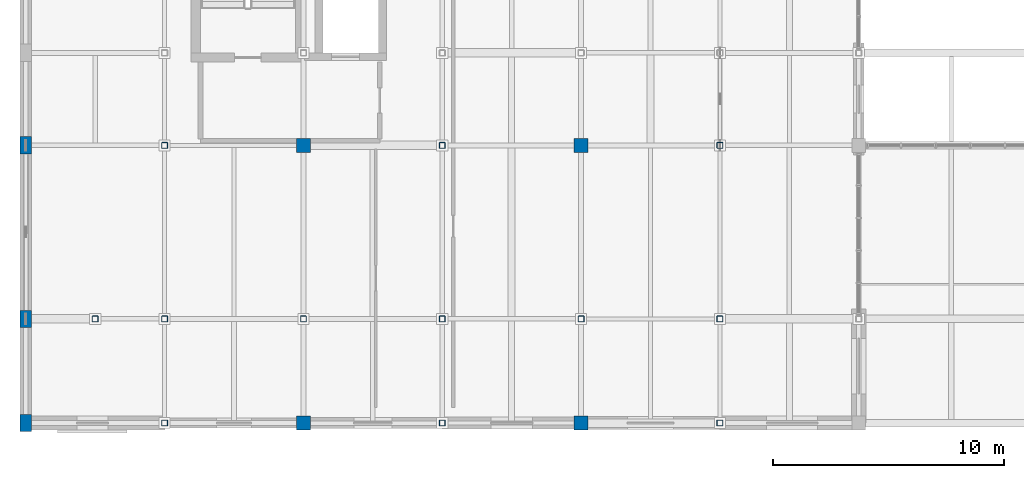
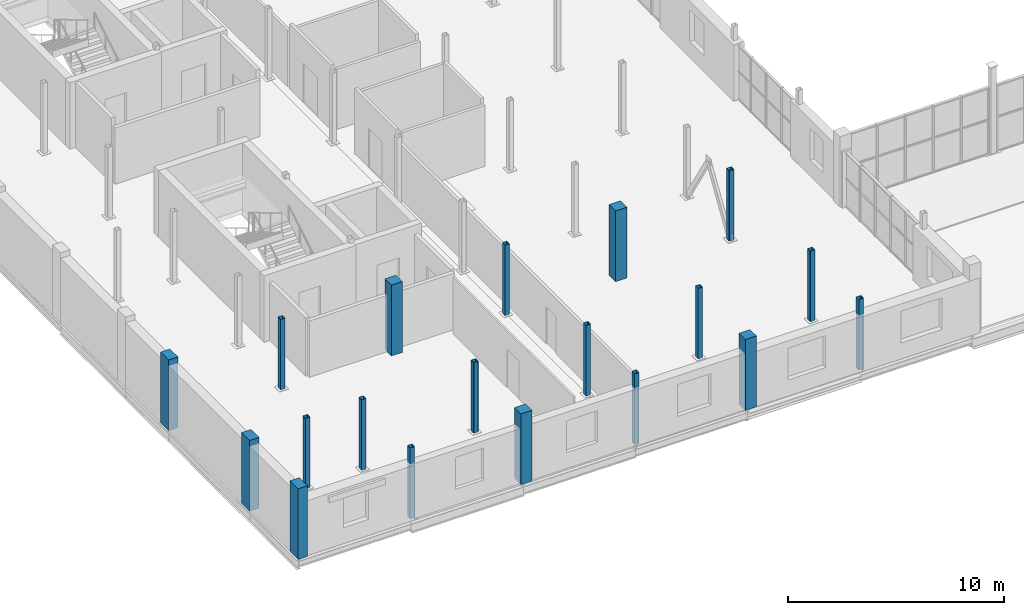
# One storey, part 1 of 96: 19 columns.
"""IFC4 building model written with IfcOpenShell, lengths in metres."""

import ifcopenshell
import ifcopenshell.guid

model = None  # the IFC model being written
_history = None  # IfcOwnerHistory: only IFC2X3 demands one
_inside = {}  # id of a spatial element -> (the spatial element, [elements in it])
_under = {}  # id of a project, library or spatial element -> (it, [spatial elements below it])
_declared = {}  # id of a project -> (the project, [libraries it declares])
_typed = {}  # id of a type object -> (the type object, [elements of that type])
_made_of = {}  # id of a material, layer set ... -> (it, [elements and type objects made of it])


def new_model(schema):
    """Start an empty IFC model of exactly this schema.

    Asked for "IFC4X3", IfcOpenShell would pick the latest addendum, in which some entities
    have other attributes; the version numbers below select the first issue.
    IFC2X3 requires an IfcOwnerHistory on every rooted entity: one is made here for all.
    """
    global model, _history
    if schema == "IFC4X3":
        model = ifcopenshell.file(schema_version=(4, 3, 0, 0))
    else:
        model = ifcopenshell.file(schema=schema)
    _inside.clear()
    _under.clear()
    _declared.clear()
    _typed.clear()
    _made_of.clear()
    _history = None
    if model.schema == "IFC2X3":
        org = make("IfcOrganization", Name="unknown")
        user = make(
            "IfcPersonAndOrganization",
            ThePerson=make("IfcPerson", FamilyName="unknown"),
            TheOrganization=org,
        )
        app = make(
            "IfcApplication",
            ApplicationDeveloper=org,
            Version="unknown",
            ApplicationFullName="unknown",
            ApplicationIdentifier="unknown",
        )
        _history = make(
            "IfcOwnerHistory",
            OwningUser=user,
            OwningApplication=app,
            ChangeAction="ADDED",
            CreationDate=0,
        )
    return model


def make(cls, **values):
    """One entity of the class cls with the attributes given. An attribute that is None is left unset."""
    return model.create_entity(
        cls, **{name: value for name, value in values.items() if value is not None}
    )


def rooted(cls, **values):
    """An entity with a GlobalId (a new one), such as an element, a storey or a relation."""
    return make(cls, GlobalId=ifcopenshell.guid.new(), OwnerHistory=_history, **values)


def si_unit(unit_type, name, prefix=None):
    """IfcSIUnit, for example si_unit("LENGTHUNIT", "METRE", prefix="MILLI")."""
    return make("IfcSIUnit", UnitType=unit_type, Prefix=prefix, Name=name)


def assignment(units):
    """IfcUnitAssignment: the units of a project."""
    return None if units is None else make("IfcUnitAssignment", Units=units)


def point(xyz):
    """IfcCartesianPoint."""
    return None if xyz is None else make("IfcCartesianPoint", Coordinates=xyz)


def direction(xyz):
    """IfcDirection."""
    return None if xyz is None else make("IfcDirection", DirectionRatios=xyz)


def frame(location, z_axis=None, x_axis=None):
    """IfcAxis2Placement3D, a coordinate frame: its origin and axes. An axis left out is left unset."""
    return make(
        "IfcAxis2Placement3D",
        Location=point(location),
        Axis=direction(z_axis),
        RefDirection=direction(x_axis),
    )


def frame_2d(location, x_axis=None):
    """IfcAxis2Placement2D, a coordinate frame in the plane: its origin and x axis."""
    return make(
        "IfcAxis2Placement2D", Location=point(location), RefDirection=direction(x_axis)
    )


def origin():
    """The frame at (0, 0, 0) with its axes left unset."""
    return frame((0.0, 0.0, 0.0))


def origin_2d():
    """The frame at (0, 0) in the plane with its x axis left unset."""
    return frame_2d((0.0, 0.0))


def place(relative_to, where):
    """IfcLocalPlacement: puts the frame where relative to a parent placement (None: the world)."""
    return make(
        "IfcLocalPlacement", PlacementRelTo=relative_to, RelativePlacement=where
    )


def context(
    kind, dimensions, precision=None, world=None, true_north=None, identifier=None
):
    """IfcGeometricRepresentationContext, for example the 3D "Model" context."""
    return make(
        "IfcGeometricRepresentationContext",
        ContextIdentifier=identifier,
        ContextType=kind,
        CoordinateSpaceDimension=dimensions,
        Precision=precision,
        WorldCoordinateSystem=world,
        TrueNorth=true_north,
    )


def subcontext(parent, identifier, kind, view, scale=None):
    """IfcGeometricRepresentationSubContext, for example "Body" below "Model"."""
    return make(
        "IfcGeometricRepresentationSubContext",
        ContextIdentifier=identifier,
        ContextType=kind,
        ParentContext=parent,
        TargetScale=scale,
        TargetView=view,
    )


def project(units=None, contexts=None):
    """IfcProject with its units and contexts."""
    return rooted(
        "IfcProject",
        Name="project",
        RepresentationContexts=contexts,
        UnitsInContext=assignment(units),
    )


def spatial(cls, under=None, at=None, **own):
    """A site, building, storey or space (cls), placed at a placement, below another one or the project."""
    s = rooted(cls, ObjectPlacement=at, **own)
    if under is not None:
        _under.setdefault(under.id(), (under, []))[1].append(s)
    return s


def profile(cls, at=None, kind="AREA", **sizes):
    """A parametric profile (cls). Its sizes go by their IFC names, for example OverallWidth=200.0."""
    return make(cls, ProfileType=kind, Position=at, **sizes)


def rectangle(**sizes):
    """IfcRectangleProfileDef."""
    return profile("IfcRectangleProfileDef", **sizes)


def hollow_rectangle(**sizes):
    """IfcRectangleHollowProfileDef."""
    return profile("IfcRectangleHollowProfileDef", **sizes)


def extrude(swept, where, along, depth):
    """IfcExtrudedAreaSolid: the profile swept, set in the frame where, extruded along a direction by depth."""
    return make(
        "IfcExtrudedAreaSolid",
        SweptArea=swept,
        Position=where,
        ExtrudedDirection=direction(along),
        Depth=depth,
    )


def shape(context_of_items, identifier, shape_type, items):
    """IfcShapeRepresentation: the items that make up one representation, for example the "Body"."""
    return make(
        "IfcShapeRepresentation",
        ContextOfItems=context_of_items,
        RepresentationIdentifier=identifier,
        RepresentationType=shape_type,
        Items=items,
    )


def material(Name=None, Category=None):
    """IfcMaterial."""
    return make("IfcMaterial", Name=Name, Category=Category)


def material_profile(
    of_material, cross_section, Name=None, Category=None, Priority=None
):
    """IfcMaterialProfile: a cross section and its material."""
    return make(
        "IfcMaterialProfile",
        Name=Name,
        Material=of_material,
        Profile=cross_section,
        Priority=Priority,
        Category=Category,
    )


def profile_set(profiles, Name=None, composite=None):
    """IfcMaterialProfileSet."""
    return make(
        "IfcMaterialProfileSet",
        Name=Name,
        MaterialProfiles=profiles,
        CompositeProfile=composite,
    )


def made_of(thing, what):
    """Note that an element or type object is made of a material, layer set ...; save() writes the relation."""
    if what is not None:
        _made_of.setdefault(what.id(), (what, []))[1].append(thing)
    return thing


def type_object(cls, material=None, **own):
    """A type object (cls), such as IfcWallType, which elements share."""
    return made_of(rooted(cls, **own), material)


def element(
    cls,
    number,
    at=None,
    inside=None,
    cuts=None,
    type_object=None,
    material=None,
    context=None,
    identifier="Body",
    shape_type=None,
    held_by="IfcProductDefinitionShape",
    body=None,
    shapes=None,
    **own,
):
    """One element of the class cls, such as IfcWall. Its Tag is "e" and its number.

    at: its placement. inside: the storey or other place that contains it. cuts: it is an
    opening in that element (IfcRelVoidsElement). A single representation is given by context,
    identifier, shape_type and body (its items); several are given by shapes. held_by: the class
    of the entity that holds the representations. save() writes the other relations.
    """
    e = rooted(cls, Tag="e%d" % number, ObjectPlacement=at, **own)
    if body is not None:
        shapes = [shape(context, identifier, shape_type, body)]
    if shapes is not None:
        e.Representation = make(held_by, Representations=shapes)
    if inside is not None:
        _inside.setdefault(inside.id(), (inside, []))[1].append(e)
    if cuts is not None:
        rooted(
            "IfcRelVoidsElement", RelatingBuildingElement=cuts, RelatedOpeningElement=e
        )
    if type_object is not None:
        _typed.setdefault(type_object.id(), (type_object, []))[1].append(e)
    return made_of(e, material)


def aggregate(whole, parts):
    """IfcRelAggregates: a whole, such as a stair, and the parts it consists of."""
    return rooted("IfcRelAggregates", RelatingObject=whole, RelatedObjects=parts)


def save(model, path):
    """Write the relations noted so far, then the file.

    IfcRelAggregates (storeys below a building ...), IfcRelContainedInSpatialStructure (elements
    in a storey), IfcRelDefinesByType, IfcRelAssociatesMaterial and IfcRelDeclares: one each for
    every whole, place, type object, material and project.
    """
    for whole, parts in _under.values():
        aggregate(whole, parts)
    for where, things in _inside.values():
        rooted(
            "IfcRelContainedInSpatialStructure",
            RelatedElements=things,
            RelatingStructure=where,
        )
    for kind, things in _typed.values():
        rooted("IfcRelDefinesByType", RelatedObjects=things, RelatingType=kind)
    for what, things in _made_of.values():
        rooted("IfcRelAssociatesMaterial", RelatedObjects=things, RelatingMaterial=what)
    for by, libraries in _declared.values():
        rooted("IfcRelDeclares", RelatingContext=by, RelatedDefinitions=libraries)
    model.write(path)


model = new_model("IFC4")

# Units and contexts
model_context = context("Model", 3, precision=1e-05, world=origin(), true_north=direction((0.0, 1.0)))
body_context = subcontext(model_context, "Body", "Model", "MODEL_VIEW")
ifc_project = project(units=[si_unit("LENGTHUNIT", "METRE"), si_unit("AREAUNIT", "SQUARE_METRE"), si_unit("VOLUMEUNIT", "CUBIC_METRE"), si_unit("PLANEANGLEUNIT", "RADIAN"), si_unit("MASSUNIT", "GRAM", prefix="KILO")], contexts=[model_context])

# Site, building, storey
site_placement = place(None, origin())
site = spatial("IfcSite", under=ifc_project, at=site_placement, CompositionType="ELEMENT")
building_placement = place(site_placement, origin())
building = spatial("IfcBuilding", under=site, at=building_placement, Name="Verrall Gate Interchange", CompositionType="ELEMENT")
storey_placement = place(building_placement, frame((0.0, 0.0, 11.39990234375)))
storey = spatial("IfcBuildingStorey", under=building, at=storey_placement, Name="L03", CompositionType="ELEMENT", Elevation=11.39990234375)

# Columns
ifc_material_1 = material(Name="Concrete CSA A23.1 40 MPa (Class N)", Category="concrete")
ifc_material_profile_1 = material_profile(ifc_material_1, rectangle(XDim=0.60009765625, YDim=0.60009765625, at=origin_2d()), Name="RC600x600")
ifc_profile_set_1 = profile_set([ifc_material_profile_1], Name="Concrete CSA A23.1 40 MPa (Class N)")
column_type_1 = type_object("IfcColumnType", Name="C-04 Column RC600x600", PredefinedType="COLUMN", material=ifc_profile_set_1)
for number, where, z_axis, x_axis, name in (
    (1, (12.0, 0.0, 0.0), (0.0, 0.0, 1.0), (1.0, 0.0, 0.0), "L03 Column COL-L03-0252 (C-04)"),
    (2, (12.0, 12.0, 0.0), (0.0, 0.0, 1.0), (1.0, 0.0, 0.0), "L03 Column COL-L03-0266 (C-04)"),
    (3, (24.0, 0.0, 0.0), (0.0, 0.0, 1.0), (1.0, 0.0, 0.0), "L03 Column COL-L03-0486 (C-04)"),
    (4, (24.0, 12.0, 0.0), (0.0, 0.0, 1.0), (1.0, 0.0, 0.0), "L03 Column COL-L03-0500 (C-04)"),
):
    element("IfcColumn", number, at=place(storey_placement, frame(where, z_axis=z_axis, x_axis=x_axis)), inside=storey, type_object=column_type_1, Name=name, PredefinedType="COLUMN", context=body_context, shape_type="SweptSolid", body=[
        extrude(rectangle(XDim=0.60009765625, YDim=0.60009765625, at=origin_2d()), origin(), (0.0, 0.0, 1.0), 4.0),
    ])
ifc_material_2 = material(Name="Concrete CSA A23.1 40 MPa (Class C-1)", Category="concrete")
ifc_material_profile_2 = material_profile(ifc_material_2, rectangle(XDim=0.5, YDim=0.75, at=origin_2d()), Name="RC500x750")
ifc_profile_set_2 = profile_set([ifc_material_profile_2], Name="Concrete CSA A23.1 40 MPa (Class C-1)")
column_type_2 = type_object("IfcColumnType", Name="C-05 Pilaster RC500x750", PredefinedType="PILASTER", material=ifc_profile_set_2)
for number, where, z_axis, x_axis, name in (
    (5, (0.0, 0.0, 0.0), (0.0, 0.0, 1.0), (1.0, 0.0, 0.0), "L03 Column COL-L03-0007 (C-05)"),
    (6, (0.0, 4.5, 0.0), (0.0, 0.0, 1.0), (1.0, 0.0, 0.0), "L03 Column COL-L03-0013 (C-05)"),
    (7, (0.0, 12.0, 0.0), (0.0, 0.0, 1.0), (1.0, 0.0, 0.0), "L03 Column COL-L03-0020 (C-05)"),
):
    element("IfcColumn", number, at=place(storey_placement, frame(where, z_axis=z_axis, x_axis=x_axis)), inside=storey, type_object=column_type_2, Name=name, PredefinedType="PILASTER", context=body_context, shape_type="SweptSolid", body=[
        extrude(rectangle(XDim=0.5, YDim=0.75, at=origin_2d()), origin(), (0.0, 0.0, 1.0), 4.0),
    ])
ifc_material_3 = material(Name="Structural Steel CSA G40.21 350WT Cat 4", Category="steel")
ifc_material_profile_3 = material_profile(ifc_material_3, hollow_rectangle(XDim=0.25390625, YDim=0.25390625, WallThickness=0.009521484375, InnerFilletRadius=0.009521484375, OuterFilletRadius=0.01904296875, at=origin_2d()), Name="HSS254x254x9.5")
ifc_profile_set_3 = profile_set([ifc_material_profile_3], Name="Structural Steel CSA G40.21 350WT Cat 4")
column_type_3 = type_object("IfcColumnType", Name="C-13 Column HSS254x254x9.5", PredefinedType="COLUMN", material=ifc_profile_set_3)
for number, where, z_axis, x_axis, name in (
    (8, (3.0, 4.5, 0.0), (0.0, 0.0, 1.0), (1.0, 0.0, 0.0), "L03 Column COL-L03-0105 (C-13)"),
    (9, (6.0, 0.0, 0.0), (0.0, 0.0, 1.0), (1.0, 0.0, 0.0), "L03 Column COL-L03-0135 (C-13)"),
    (10, (6.0, 4.5, 0.0), (0.0, 0.0, 1.0), (1.0, 0.0, 0.0), "L03 Column COL-L03-0141 (C-13)"),
    (11, (6.0, 12.0, 0.0), (0.0, 0.0, 1.0), (1.0, 0.0, 0.0), "L03 Column COL-L03-0149 (C-13)"),
    (12, (12.0, 4.5, 0.0), (0.0, 0.0, 1.0), (1.0, 0.0, 0.0), "L03 Column COL-L03-0258 (C-13)"),
    (13, (18.0, 0.0, 0.0), (0.0, 0.0, 1.0), (1.0, 0.0, 0.0), "L03 Column COL-L03-0369 (C-13)"),
    (14, (18.0, 4.5, 0.0), (0.0, 0.0, 1.0), (1.0, 0.0, 0.0), "L03 Column COL-L03-0375 (C-13)"),
    (15, (18.0, 12.0, 0.0), (0.0, 0.0, 1.0), (1.0, 0.0, 0.0), "L03 Column COL-L03-0383 (C-13)"),
    (16, (24.0, 4.5, 0.0), (0.0, 0.0, 1.0), (1.0, 0.0, 0.0), "L03 Column COL-L03-0492 (C-13)"),
    (17, (30.0, 0.0, 0.0), (0.0, 0.0, 1.0), (1.0, 0.0, 0.0), "L03 Column COL-L03-0603 (C-13)"),
    (18, (30.0, 4.5, 0.0), (0.0, 0.0, 1.0), (1.0, 0.0, 0.0), "L03 Column COL-L03-0609 (C-13)"),
    (19, (30.0, 12.0, 0.0), (0.0, 0.0, 1.0), (1.0, 0.0, 0.0), "L03 Column COL-L03-0617 (C-13)"),
):
    element("IfcColumn", number, at=place(storey_placement, frame(where, z_axis=z_axis, x_axis=x_axis)), inside=storey, type_object=column_type_3, Name=name, PredefinedType="COLUMN", context=body_context, shape_type="SweptSolid", body=[
        extrude(hollow_rectangle(XDim=0.25390625, YDim=0.25390625, WallThickness=0.009521484375, InnerFilletRadius=0.009521484375, OuterFilletRadius=0.01904296875, at=origin_2d()), origin(), (0.0, 0.0, 1.0), 4.0),
    ])

save(model, "model.ifc")
